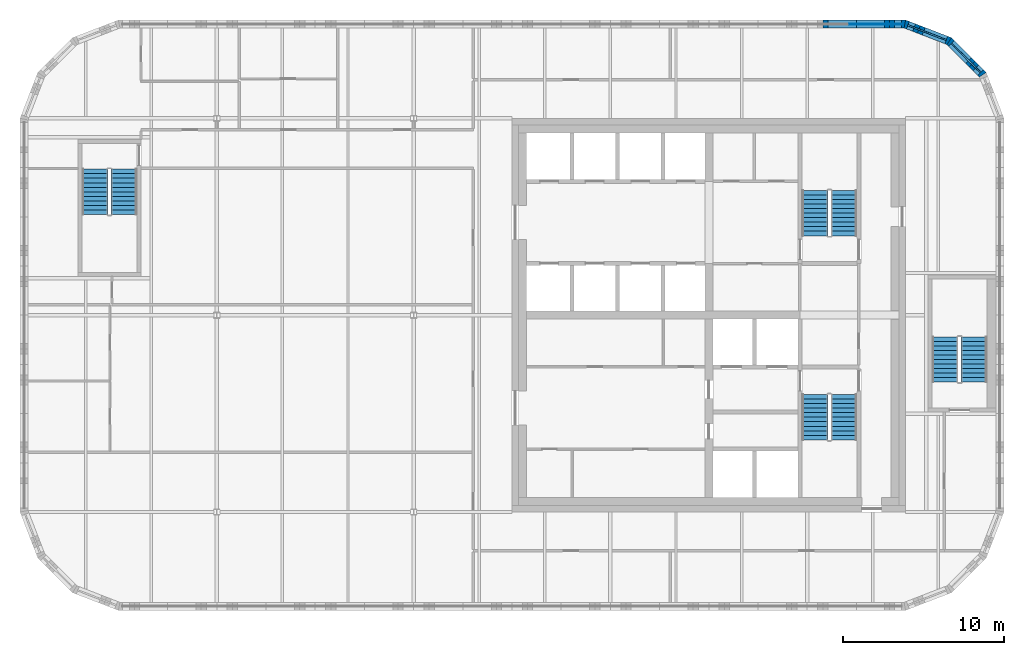
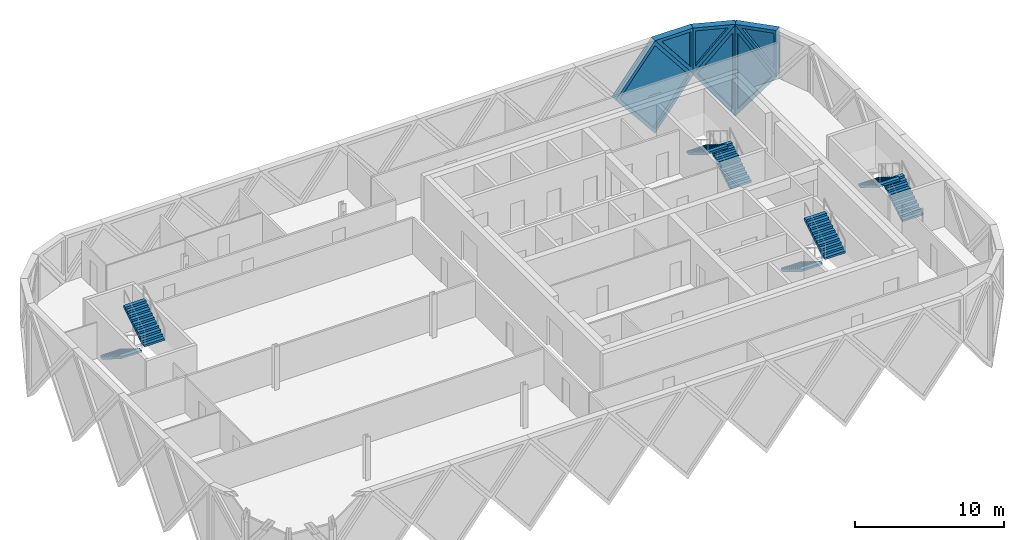
# One storey, part 11 of 12: 8 stair flights, 6 plates, 6 walls, 6 openings, 4 elements without a shape of their own.
"""IFC4 building model written with IfcOpenShell, lengths in metres."""

from ifc_helpers import new_model, si_unit, direction, frame, origin, place, context, subcontext, project, spatial, polyline, outline, extrude, faceted_brep, source, transform, mapped, material, layer, layer_set, type_object, element, fill, aggregate, save


model = new_model("IFC4")

# Units and contexts
model_context = context("Model", 3, precision=1e-05, world=origin(), true_north=direction((0.0, 1.0)))
body_context = subcontext(model_context, "Body", "Model", "MODEL_VIEW")
ifc_project = project(units=[si_unit("LENGTHUNIT", "METRE"), si_unit("AREAUNIT", "SQUARE_METRE"), si_unit("VOLUMEUNIT", "CUBIC_METRE"), si_unit("PLANEANGLEUNIT", "RADIAN"), si_unit("MASSUNIT", "GRAM", prefix="KILO")], contexts=[model_context])

# Site, building, storey
site_placement = place(None, origin())
site = spatial("IfcSite", under=ifc_project, at=site_placement, CompositionType="ELEMENT")
building_placement = place(site_placement, origin())
building = spatial("IfcBuilding", under=site, at=building_placement, Name="Tessera Gate Towers", CompositionType="ELEMENT")
storey_placement = place(building_placement, frame((0.0, 0.0, 255.89990234375)))
storey = spatial("IfcBuildingStorey", under=building, at=storey_placement, Name="L64", CompositionType="ELEMENT", Elevation=255.89990234375)

# Wall, opening, plate
ifc_material_1 = material(Name="Precast concrete C60/75 white", Category="concrete")
ifc_layer_1 = layer(ifc_material_1, 0.5)
ifc_layer_set_1 = layer_set([ifc_layer_1], Name="TS1 tessera")
wall_type_1 = type_object("IfcWallType", Name="TS1 tessera", PredefinedType="SOLIDWALL", material=ifc_layer_set_1)
shared_shape_1 = source(origin(), body_context, "Body", "Brep", [
    faceted_brep([(3.00341796875, -0.25, 0.0), (6.053466796875, -0.25, 3.7998046875), (3.00341796875, -0.25, 7.599853515625), (0.0, -0.25, 3.7998046875), (0.046630859375, 0.25, 3.858642578125), (3.00341796875, 0.25, 7.599853515625), (6.053466796875, 0.25, 3.7998046875), (3.00341796875, 0.25, 0.0), (0.046630859375, 0.25, 3.740966796875), (0.0, 0.0, 3.7998046875)], [[[0, 1, 2, 3]], [[4, 5, 6, 7, 8]], [[7, 6, 1, 0]], [[6, 5, 2, 1]], [[5, 4, 9, 3, 2]], [[8, 7, 0, 3, 9]], [[8, 9, 4]]]),
])
wall_1_placement = place(storey_placement, frame((54.853515625, 54.64990234375, -3.7998046875), z_axis=(0.0, 0.0, 1.0), x_axis=(-1.0, 0.0, 0.0)))
wall_1 = element("IfcWall", 1, at=wall_1_placement, inside=storey, type_object=wall_type_1, Name="Precast tessera T1 TS1-1134", PredefinedType="SOLIDWALL", context=body_context, shape_type="MappedRepresentation", body=[
    mapped(shared_shape_1, transform((0.0, 0.0, 0.0), scale=1.0)),
])
shared_shape_2 = source(origin(), body_context, "Body", "SweptSolid", [
    extrude(outline(polyline([(3.0048828125, 0.401123046875), (5.73291015625, 3.7998046875), (3.0048828125, 7.19873046875), (0.318603515625, 3.7998046875), (3.0048828125, 0.401123046875)])), frame((0.0, 0.260009765625, 0.0), z_axis=(0.0, -1.0, 0.0), x_axis=(1.0, 0.0, 0.0)), (0.0, 0.0, 1.0), 0.52001953125),
])
opening_1_placement = place(wall_1_placement, origin())
opening_1 = element("IfcOpeningElement", 2, at=opening_1_placement, cuts=wall_1, Name="Opening T1-PL2-2290", PredefinedType="OPENING", context=body_context, shape_type="MappedRepresentation", body=[
    mapped(shared_shape_2, transform((0.0, 0.0, 0.0), scale=1.0)),
])
ifc_material_2 = material(Name="Low-e laminated glass", Category="glass")
ifc_layer_2 = layer(ifc_material_2, 0.06005859375)
ifc_layer_set_2 = layer_set([ifc_layer_2], Name="PL2 rhombic pane")
plate_type_1 = type_object("IfcPlateType", Name="PL2 rhombic pane", PredefinedType="SHEET", material=ifc_layer_set_2)
shared_shape_3 = source(origin(), body_context, "Body", "SweptSolid", [
    extrude(outline(polyline([(3.0048828125, 0.401123046875), (5.73291015625, 3.7998046875), (3.0048828125, 7.19873046875), (0.318603515625, 3.7998046875), (3.0048828125, 0.401123046875)])), frame((0.0, 0.030029296875, 0.0), z_axis=(0.0, -1.0, 0.0), x_axis=(1.0, 0.0, 0.0)), (0.0, 0.0, 1.0), 0.06005859375),
])
plate_1_placement = place(opening_1_placement, origin())
plate_1 = element("IfcPlate", 3, at=plate_1_placement, inside=storey, type_object=plate_type_1, Name="Glass pane T1 PL2-2290", PredefinedType="SHEET", context=body_context, shape_type="MappedRepresentation", body=[
    mapped(shared_shape_3, transform((0.0, 0.0, 0.0), scale=1.0)),
])
fill(opening_1, plate_1)

ifc_material_3 = material(Name="Precast concrete C60/75 white", Category="concrete")
ifc_layer_3 = layer(ifc_material_3, 0.5)
ifc_layer_set_3 = layer_set([ifc_layer_3], Name="TS3 corner tessera")
wall_type_2 = type_object("IfcWallType", Name="TS3 corner tessera", PredefinedType="SOLIDWALL", material=ifc_layer_set_3)
shared_shape_4 = source(origin(), body_context, "Body", "Brep", [
    faceted_brep([(2.944091796875, -0.25, 0.0), (2.9970703125, -0.25, 0.068115234375), (2.9970703125, -0.25, 7.53173828125), (2.944091796875, -0.25, 7.599853515625), (0.0, -0.25, 3.7998046875), (0.052978515625, 0.25, 3.8681640625), (2.89111328125, 0.25, 7.53173828125), (2.89111328125, 0.25, 0.068115234375), (0.052978515625, 0.25, 3.7314453125), (2.944091796875, 0.000244140625, 0.0), (2.944091796875, 0.000244140625, 7.599853515625), (0.0, 0.0, 3.7998046875)], [[[0, 1, 2, 3, 4]], [[5, 6, 7, 8]], [[1, 0, 9]], [[10, 3, 2]], [[6, 5, 11, 4, 3, 10]], [[8, 7, 9, 0, 4, 11]], [[8, 11, 5]], [[1, 9, 7, 6, 10, 2]]]),
])
wall_2_placement = place(storey_placement, frame((59.68798828125, 51.50634765625, -3.7998046875), z_axis=(0.0, 0.0, 1.0), x_axis=(-0.707106781187, 0.707106781187, 0.0)))
wall_2 = element("IfcWall", 4, at=wall_2_placement, inside=storey, type_object=wall_type_2, Name="Precast corner tessera T1 TS3-1455", PredefinedType="SOLIDWALL", context=body_context, shape_type="MappedRepresentation", body=[
    mapped(shared_shape_4, transform((0.0, 0.0, 0.0), scale=1.0)),
])
shared_shape_5 = source(origin(), body_context, "Body", "SweptSolid", [
    extrude(outline(polyline([(2.744140625, 6.93359375), (0.316162109375, 3.7998046875), (2.744140625, 0.666259765625), (2.744140625, 6.93359375)])), frame((0.0, 0.260009765625, 0.0), z_axis=(0.0, -1.0, 0.0), x_axis=(1.0, 0.0, 0.0)), (0.0, 0.0, 1.0), 0.52001953125),
])
opening_2_placement = place(wall_2_placement, origin())
opening_2 = element("IfcOpeningElement", 5, at=opening_2_placement, cuts=wall_2, Name="Opening T1-PL2-2288", PredefinedType="OPENING", context=body_context, shape_type="MappedRepresentation", body=[
    mapped(shared_shape_5, transform((0.0, 0.0, 0.0), scale=1.0)),
])
shared_shape_6 = source(origin(), body_context, "Body", "SweptSolid", [
    extrude(outline(polyline([(2.744140625, 6.93359375), (0.316162109375, 3.7998046875), (2.744140625, 0.666259765625), (2.744140625, 6.93359375)])), frame((0.0, 0.030029296875, 0.0), z_axis=(0.0, -1.0, 0.0), x_axis=(1.0, 0.0, 0.0)), (0.0, 0.0, 1.0), 0.06005859375),
])
plate_2_placement = place(opening_2_placement, origin())
plate_2 = element("IfcPlate", 6, at=plate_2_placement, inside=storey, type_object=plate_type_1, Name="Glass pane T1 PL2-2288", PredefinedType="SHEET", context=body_context, shape_type="MappedRepresentation", body=[
    mapped(shared_shape_6, transform((0.0, 0.0, 0.0), scale=1.0)),
])
fill(opening_2, plate_2)

shared_shape_7 = source(origin(), body_context, "Body", "Brep", [
    faceted_brep([(0.052978515625, -0.25, 0.0), (3.00341796875, -0.25, 3.7998046875), (0.052978515625, -0.25, 7.599853515625), (0.0, -0.25, 7.531494140625), (0.0, -0.25, 0.068359375), (0.10595703125, 0.25, 7.53173828125), (2.95703125, 0.25, 3.859619140625), (2.95703125, 0.25, 3.739990234375), (0.10595703125, 0.25, 0.068115234375), (3.00341796875, 0.00048828125, 3.7998046875), (0.052978515625, 0.0, 0.0), (0.052978515625, 0.0, 7.599853515625)], [[[0, 1, 2, 3, 4]], [[5, 6, 7, 8]], [[8, 7, 9, 1, 0, 10]], [[6, 5, 11, 2, 1, 9]], [[3, 2, 11]], [[10, 0, 4]], [[8, 10, 4, 3, 11, 5]], [[9, 7, 6]]]),
])
wall_3_placement = place(storey_placement, frame((57.65576171875, 53.569091796875, -3.7998046875), z_axis=(0.0, 0.0, 1.0), x_axis=(-0.933007896601, 0.359855894603, 0.0)))
wall_3 = element("IfcWall", 7, at=wall_3_placement, inside=storey, type_object=wall_type_2, Name="Precast corner tessera T1 TS3-1456", PredefinedType="SOLIDWALL", context=body_context, shape_type="MappedRepresentation", body=[
    mapped(shared_shape_7, transform((0.0, 0.0, 0.0), scale=1.0)),
])
shared_shape_8 = source(origin(), body_context, "Body", "SweptSolid", [
    extrude(outline(polyline([(0.2529296875, 0.6650390625), (2.68701171875, 3.7998046875), (0.2529296875, 6.9345703125), (0.2529296875, 0.6650390625)])), frame((0.0, 0.260009765625, 0.0), z_axis=(0.0, -1.0, 0.0), x_axis=(1.0, 0.0, 0.0)), (0.0, 0.0, 1.0), 0.52001953125),
])
opening_3_placement = place(wall_3_placement, origin())
opening_3 = element("IfcOpeningElement", 8, at=opening_3_placement, cuts=wall_3, Name="Opening T1-PL2-2289", PredefinedType="OPENING", context=body_context, shape_type="MappedRepresentation", body=[
    mapped(shared_shape_8, transform((0.0, 0.0, 0.0), scale=1.0)),
])
shared_shape_9 = source(origin(), body_context, "Body", "SweptSolid", [
    extrude(outline(polyline([(0.2529296875, 0.6650390625), (2.68701171875, 3.7998046875), (0.2529296875, 6.9345703125), (0.2529296875, 0.6650390625)])), frame((0.0, 0.030029296875, 0.0), z_axis=(0.0, -1.0, 0.0), x_axis=(1.0, 0.0, 0.0)), (0.0, 0.0, 1.0), 0.06005859375),
])
plate_3_placement = place(opening_3_placement, origin())
plate_3 = element("IfcPlate", 9, at=plate_3_placement, inside=storey, type_object=plate_type_1, Name="Glass pane T1 PL2-2289", PredefinedType="SHEET", context=body_context, shape_type="MappedRepresentation", body=[
    mapped(shared_shape_9, transform((0.0, 0.0, 0.0), scale=1.0)),
])
fill(opening_3, plate_3)

shared_shape_10 = source(origin(), body_context, "Body", "Brep", [
    faceted_brep([(0.046630859375, -0.25, 0.0), (3.050048828125, -0.25, 3.800048828125), (0.0, -0.25, 3.800048828125), (0.0, -0.25, 0.06005859375), (0.09326171875, 0.25, 3.800048828125), (3.050048828125, 0.25, 3.800048828125), (0.09326171875, 0.25, 0.058837890625), (0.046630859375, 0.0, 0.0)], [[[0, 1, 2, 3]], [[4, 5, 6]], [[6, 5, 1, 0, 7]], [[5, 4, 2, 1]], [[7, 0, 3]], [[6, 7, 3, 2, 4]]]),
])
wall_4_placement = place(storey_placement, frame((54.900146484375, 54.64990234375, 0.0), z_axis=(0.0, 0.0, 1.0), x_axis=(-1.0, 0.0, 0.0)))
wall_4 = element("IfcWall", 10, at=wall_4_placement, inside=storey, type_object=wall_type_2, Name="Precast corner tessera T1 TS3-1474", PredefinedType="SOLIDWALL", context=body_context, shape_type="MappedRepresentation", body=[
    mapped(shared_shape_10, transform((0.0, 0.0, 0.0), scale=1.0)),
])
shared_shape_11 = source(origin(), body_context, "Body", "SweptSolid", [
    extrude(outline(polyline([(0.24658203125, 0.65625), (2.533935546875, 3.550048828125), (0.24658203125, 3.550048828125), (0.24658203125, 0.65625)])), frame((0.0, 0.260009765625, 0.0), z_axis=(0.0, -1.0, 0.0), x_axis=(1.0, 0.0, 0.0)), (0.0, 0.0, 1.0), 0.52001953125),
])
opening_4_placement = place(wall_4_placement, origin())
opening_4 = element("IfcOpeningElement", 11, at=opening_4_placement, cuts=wall_4, Name="Opening T1-PL1-0628", PredefinedType="OPENING", context=body_context, shape_type="MappedRepresentation", body=[
    mapped(shared_shape_11, transform((0.0, 0.0, 0.0), scale=1.0)),
])
ifc_material_4 = material(Name="Low-e laminated glass", Category="glass")
ifc_layer_4 = layer(ifc_material_4, 0.06005859375)
ifc_layer_set_4 = layer_set([ifc_layer_4], Name="PL1 triangular pane")
plate_type_2 = type_object("IfcPlateType", Name="PL1 triangular pane", PredefinedType="SHEET", material=ifc_layer_set_4)
shared_shape_12 = source(origin(), body_context, "Body", "SweptSolid", [
    extrude(outline(polyline([(0.24658203125, 0.65625), (2.533935546875, 3.550048828125), (0.24658203125, 3.550048828125), (0.24658203125, 0.65625)])), frame((0.0, 0.030029296875, 0.0), z_axis=(0.0, -1.0, 0.0), x_axis=(1.0, 0.0, 0.0)), (0.0, 0.0, 1.0), 0.06005859375),
])
plate_4_placement = place(opening_4_placement, origin())
plate_4 = element("IfcPlate", 12, at=plate_4_placement, inside=storey, type_object=plate_type_2, Name="Glass pane T1 PL1-0628", PredefinedType="SHEET", context=body_context, shape_type="MappedRepresentation", body=[
    mapped(shared_shape_12, transform((0.0, 0.0, 0.0), scale=1.0)),
])
fill(opening_4, plate_4)

shared_shape_13 = source(origin(), body_context, "Body", "Brep", [
    faceted_brep([(0.052978515625, -0.25, 0.0), (2.9970703125, -0.25, 3.800048828125), (0.0, -0.25, 3.800048828125), (0.0, -0.25, 0.068115234375), (0.10595703125, 0.25, 3.800048828125), (2.944091796875, 0.25, 3.800048828125), (2.944091796875, 0.25, 3.73193359375), (0.10595703125, 0.25, 0.068359375), (2.9970703125, 0.000244140625, 3.800048828125), (0.052978515625, 0.0, 0.0)], [[[0, 1, 2, 3]], [[4, 5, 6, 7]], [[7, 6, 8, 1, 0, 9]], [[5, 4, 2, 1, 8]], [[9, 0, 3]], [[7, 9, 3, 2, 4]], [[6, 5, 8]]]),
])
wall_5_placement = place(storey_placement, frame((59.7255859375, 51.46875, 0.0), z_axis=(0.0, 0.0, 1.0), x_axis=(-0.707106781187, 0.707106781187, 0.0)))
wall_5 = element("IfcWall", 13, at=wall_5_placement, inside=storey, type_object=wall_type_2, Name="Precast corner tessera T1 TS3-1472", PredefinedType="SOLIDWALL", context=body_context, shape_type="MappedRepresentation", body=[
    mapped(shared_shape_13, transform((0.0, 0.0, 0.0), scale=1.0)),
])
shared_shape_14 = source(origin(), body_context, "Body", "SweptSolid", [
    extrude(outline(polyline([(0.2529296875, 0.66650390625), (2.487060546875, 3.550048828125), (0.2529296875, 3.550048828125), (0.2529296875, 0.66650390625)])), frame((0.0, 0.260009765625, 0.0), z_axis=(0.0, -1.0, 0.0), x_axis=(1.0, 0.0, 0.0)), (0.0, 0.0, 1.0), 0.52001953125),
])
opening_5_placement = place(wall_5_placement, origin())
opening_5 = element("IfcOpeningElement", 14, at=opening_5_placement, cuts=wall_5, Name="Opening T1-PL1-0626", PredefinedType="OPENING", context=body_context, shape_type="MappedRepresentation", body=[
    mapped(shared_shape_14, transform((0.0, 0.0, 0.0), scale=1.0)),
])
shared_shape_15 = source(origin(), body_context, "Body", "SweptSolid", [
    extrude(outline(polyline([(0.2529296875, 0.66650390625), (2.487060546875, 3.550048828125), (0.2529296875, 3.550048828125), (0.2529296875, 0.66650390625)])), frame((0.0, 0.030029296875, 0.0), z_axis=(0.0, -1.0, 0.0), x_axis=(1.0, 0.0, 0.0)), (0.0, 0.0, 1.0), 0.06005859375),
])
plate_5_placement = place(opening_5_placement, origin())
plate_5 = element("IfcPlate", 15, at=plate_5_placement, inside=storey, type_object=plate_type_2, Name="Glass pane T1 PL1-0626", PredefinedType="SHEET", context=body_context, shape_type="MappedRepresentation", body=[
    mapped(shared_shape_15, transform((0.0, 0.0, 0.0), scale=1.0)),
])
fill(opening_5, plate_5)

shared_shape_16 = source(origin(), body_context, "Body", "Brep", [
    faceted_brep([(2.950439453125, -0.25, 0.0), (2.9970703125, -0.25, 0.05908203125), (2.9970703125, -0.25, 3.800048828125), (0.0, -0.25, 3.800048828125), (0.052978515625, 0.25, 3.800048828125), (2.904052734375, 0.25, 3.800048828125), (2.904052734375, 0.25, 0.059814453125), (0.052978515625, 0.25, 3.73193359375), (2.950439453125, 0.00048828125, 0.0), (0.0, 0.0, 3.800048828125)], [[[0, 1, 2, 3]], [[4, 5, 6, 7]], [[1, 0, 8]], [[5, 4, 9, 3, 2]], [[7, 6, 8, 0, 3, 9]], [[7, 9, 4]], [[1, 8, 6, 5, 2]]]),
])
wall_6_placement = place(storey_placement, frame((57.606201171875, 53.588134765625, 0.0), z_axis=(0.0, 0.0, 1.0), x_axis=(-0.932990326376, 0.359901446078, 0.0)))
wall_6 = element("IfcWall", 16, at=wall_6_placement, inside=storey, type_object=wall_type_2, Name="Precast corner tessera T1 TS3-1473", PredefinedType="SOLIDWALL", context=body_context, shape_type="MappedRepresentation", body=[
    mapped(shared_shape_16, transform((0.0, 0.0, 0.0), scale=1.0)),
])
shared_shape_17 = source(origin(), body_context, "Body", "SweptSolid", [
    extrude(outline(polyline([(2.75048828125, 3.550048828125), (0.5107421875, 3.550048828125), (2.75048828125, 0.665283203125), (2.75048828125, 3.550048828125)])), frame((0.0, 0.260009765625, 0.0), z_axis=(0.0, -1.0, 0.0), x_axis=(1.0, 0.0, 0.0)), (0.0, 0.0, 1.0), 0.52001953125),
])
opening_6_placement = place(wall_6_placement, origin())
opening_6 = element("IfcOpeningElement", 17, at=opening_6_placement, cuts=wall_6, Name="Opening T1-PL1-0627", PredefinedType="OPENING", context=body_context, shape_type="MappedRepresentation", body=[
    mapped(shared_shape_17, transform((0.0, 0.0, 0.0), scale=1.0)),
])
shared_shape_18 = source(origin(), body_context, "Body", "SweptSolid", [
    extrude(outline(polyline([(2.75048828125, 3.550048828125), (0.5107421875, 3.550048828125), (2.75048828125, 0.665283203125), (2.75048828125, 3.550048828125)])), frame((0.0, 0.030029296875, 0.0), z_axis=(0.0, -1.0, 0.0), x_axis=(1.0, 0.0, 0.0)), (0.0, 0.0, 1.0), 0.06005859375),
])
plate_6_placement = place(opening_6_placement, origin())
plate_6 = element("IfcPlate", 18, at=plate_6_placement, inside=storey, type_object=plate_type_2, Name="Glass pane T1 PL1-0627", PredefinedType="SHEET", context=body_context, shape_type="MappedRepresentation", body=[
    mapped(shared_shape_18, transform((0.0, 0.0, 0.0), scale=1.0)),
])
fill(opening_6, plate_6)

# Stair, stair flights
ifc_material_5 = material(Name="Concrete C40/50", Category="concrete")
stair_type_1 = type_object("IfcStairType", Name="EXIT STAIR ST1 1600", PredefinedType="HALF_TURN_STAIR", material=ifc_material_5)
stair_1_placement = place(storey_placement, origin())
stair_1 = element("IfcStair", 19, at=stair_1_placement, inside=storey, type_object=stair_type_1, Name="L64 Protected Exit Stair ST1", PredefinedType="HALF_TURN_STAIR")
ifc_material_6 = material(Name="Concrete C40/50", Category="concrete")
stair_flight_type_1 = type_object("IfcStairFlightType", Name="EXIT STAIR FLIGHT ST1 1600", PredefinedType="STRAIGHT", material=ifc_material_6)
stair_flight_1_placement = place(storey_placement, frame((49.27490234375, 31.675048828125, 0.0), z_axis=(0.0, 0.0, 1.0), x_axis=(0.0, -1.0, 0.0)))
stair_flight_1 = element("IfcStairFlight", 20, at=stair_flight_1_placement, type_object=stair_flight_type_1, Name="ST1 flight 1", NumberOfRisers=11, NumberOfTreads=10, PredefinedType="STRAIGHT", RiserHeight=0.172727273, TreadLength=0.28, context=body_context, shape_type="SweptSolid", body=[
    extrude(outline(polyline([(0.0, 0.0), (0.0, 0.172607421875), (0.280029296875, 0.172607421875), (0.280029296875, 0.345458984375), (0.56005859375, 0.345458984375), (0.56005859375, 0.51806640625), (0.840087890625, 0.51806640625), (0.840087890625, 0.69091796875), (1.1201171875, 0.69091796875), (1.1201171875, 0.863525390625), (1.39990234375, 0.863525390625), (1.39990234375, 1.036376953125), (1.679931640625, 1.036376953125), (1.679931640625, 1.208984375), (1.9599609375, 1.208984375), (1.9599609375, 1.3818359375), (2.239990234375, 1.3818359375), (2.239990234375, 1.554443359375), (2.52001953125, 1.554443359375), (2.52001953125, 1.727294921875), (2.800048828125, 1.727294921875), (2.800048828125, 1.89990234375), (2.800048828125, 1.551025390625), (0.285400390625, 0.0), (0.0, 0.0)])), frame((0.0, 0.800048828125, 0.0), z_axis=(0.0, -1.0, 0.0), x_axis=(1.0, 0.0, 0.0)), (0.0, 0.0, 1.0), 1.60009765625),
])
stair_flight_2_placement = place(storey_placement, frame((51.074951171875, 28.875, 1.900146484375), z_axis=(0.0, 0.0, 1.0), x_axis=(0.0, 1.0, 0.0)))
stair_flight_2 = element("IfcStairFlight", 21, at=stair_flight_2_placement, type_object=stair_flight_type_1, Name="ST1 flight 2", NumberOfRisers=11, NumberOfTreads=10, PredefinedType="STRAIGHT", RiserHeight=0.172727273, TreadLength=0.28, context=body_context, shape_type="SweptSolid", body=[
    extrude(outline(polyline([(0.0, 0.0), (0.0, 0.172607421875), (0.280029296875, 0.172607421875), (0.280029296875, 0.345458984375), (0.56005859375, 0.345458984375), (0.56005859375, 0.51806640625), (0.840087890625, 0.51806640625), (0.840087890625, 0.69091796875), (1.1201171875, 0.69091796875), (1.1201171875, 0.863525390625), (1.39990234375, 0.863525390625), (1.39990234375, 1.036376953125), (1.679931640625, 1.036376953125), (1.679931640625, 1.208984375), (1.9599609375, 1.208984375), (1.9599609375, 1.3818359375), (2.239990234375, 1.3818359375), (2.239990234375, 1.554443359375), (2.52001953125, 1.554443359375), (2.52001953125, 1.727294921875), (2.800048828125, 1.727294921875), (2.800048828125, 1.89990234375), (2.800048828125, 1.551025390625), (0.285400390625, 0.0), (0.0, 0.0)])), frame((0.0, 0.800048828125, 0.0), z_axis=(0.0, -1.0, 0.0), x_axis=(1.0, 0.0, 0.0)), (0.0, 0.0, 1.0), 1.60009765625),
])
aggregate(stair_1, [stair_flight_1, stair_flight_2])

ifc_material_7 = material(Name="Concrete C40/50", Category="concrete")
stair_type_2 = type_object("IfcStairType", Name="EXIT STAIR ST2 1600", PredefinedType="HALF_TURN_STAIR", material=ifc_material_7)
stair_2_placement = place(storey_placement, origin())
stair_2 = element("IfcStair", 22, at=stair_2_placement, inside=storey, type_object=stair_type_2, Name="L64 Protected Exit Stair ST2", PredefinedType="HALF_TURN_STAIR")
ifc_material_8 = material(Name="Concrete C40/50", Category="concrete")
stair_flight_type_2 = type_object("IfcStairFlightType", Name="EXIT STAIR FLIGHT ST2 1600", PredefinedType="STRAIGHT", material=ifc_material_8)
stair_flight_3_placement = place(storey_placement, frame((51.074951171875, 41.52490234375, 0.0), z_axis=(0.0, 0.0, 1.0), x_axis=(0.0, 1.0, 0.0)))
stair_flight_3 = element("IfcStairFlight", 23, at=stair_flight_3_placement, type_object=stair_flight_type_2, Name="ST2 flight 1", NumberOfRisers=11, NumberOfTreads=10, PredefinedType="STRAIGHT", RiserHeight=0.172727273, TreadLength=0.28, context=body_context, shape_type="SweptSolid", body=[
    extrude(outline(polyline([(0.0, 0.0), (0.0, 0.172607421875), (0.280029296875, 0.172607421875), (0.280029296875, 0.345458984375), (0.56005859375, 0.345458984375), (0.56005859375, 0.51806640625), (0.840087890625, 0.51806640625), (0.840087890625, 0.69091796875), (1.1201171875, 0.69091796875), (1.1201171875, 0.863525390625), (1.39990234375, 0.863525390625), (1.39990234375, 1.036376953125), (1.679931640625, 1.036376953125), (1.679931640625, 1.208984375), (1.9599609375, 1.208984375), (1.9599609375, 1.3818359375), (2.239990234375, 1.3818359375), (2.239990234375, 1.554443359375), (2.52001953125, 1.554443359375), (2.52001953125, 1.727294921875), (2.800048828125, 1.727294921875), (2.800048828125, 1.89990234375), (2.800048828125, 1.551025390625), (0.285400390625, 0.0), (0.0, 0.0)])), frame((0.0, 0.800048828125, 0.0), z_axis=(0.0, -1.0, 0.0), x_axis=(1.0, 0.0, 0.0)), (0.0, 0.0, 1.0), 1.60009765625),
])
stair_flight_4_placement = place(storey_placement, frame((49.27490234375, 44.324951171875, 1.900146484375), z_axis=(0.0, 0.0, 1.0), x_axis=(0.0, -1.0, 0.0)))
stair_flight_4 = element("IfcStairFlight", 24, at=stair_flight_4_placement, type_object=stair_flight_type_2, Name="ST2 flight 2", NumberOfRisers=11, NumberOfTreads=10, PredefinedType="STRAIGHT", RiserHeight=0.172727273, TreadLength=0.28, context=body_context, shape_type="SweptSolid", body=[
    extrude(outline(polyline([(0.0, 0.0), (0.0, 0.172607421875), (0.280029296875, 0.172607421875), (0.280029296875, 0.345458984375), (0.56005859375, 0.345458984375), (0.56005859375, 0.51806640625), (0.840087890625, 0.51806640625), (0.840087890625, 0.69091796875), (1.1201171875, 0.69091796875), (1.1201171875, 0.863525390625), (1.39990234375, 0.863525390625), (1.39990234375, 1.036376953125), (1.679931640625, 1.036376953125), (1.679931640625, 1.208984375), (1.9599609375, 1.208984375), (1.9599609375, 1.3818359375), (2.239990234375, 1.3818359375), (2.239990234375, 1.554443359375), (2.52001953125, 1.554443359375), (2.52001953125, 1.727294921875), (2.800048828125, 1.727294921875), (2.800048828125, 1.89990234375), (2.800048828125, 1.551025390625), (0.285400390625, 0.0), (0.0, 0.0)])), frame((0.0, 0.800048828125, 0.0), z_axis=(0.0, -1.0, 0.0), x_axis=(1.0, 0.0, 0.0)), (0.0, 0.0, 1.0), 1.60009765625),
])
aggregate(stair_2, [stair_flight_3, stair_flight_4])

ifc_material_9 = material(Name="Concrete C40/50", Category="concrete")
stair_type_3 = type_object("IfcStairType", Name="EXIT STAIR ST3 1600", PredefinedType="HALF_TURN_STAIR", material=ifc_material_9)
stair_3_placement = place(storey_placement, origin())
stair_3 = element("IfcStair", 25, at=stair_3_placement, inside=storey, type_object=stair_type_3, Name="L64 West Exit Stair ST3", PredefinedType="HALF_TURN_STAIR")
ifc_material_10 = material(Name="Concrete C40/50", Category="concrete")
stair_flight_type_3 = type_object("IfcStairFlightType", Name="EXIT STAIR FLIGHT ST3 1600", PredefinedType="STRAIGHT", material=ifc_material_10)
stair_flight_5_placement = place(storey_placement, frame((4.64990234375, 45.64990234375, 0.0), z_axis=(0.0, 0.0, 1.0), x_axis=(0.0, -1.0, 0.0)))
stair_flight_5 = element("IfcStairFlight", 26, at=stair_flight_5_placement, type_object=stair_flight_type_3, Name="ST3 flight 1", NumberOfRisers=11, NumberOfTreads=10, PredefinedType="STRAIGHT", RiserHeight=0.172727273, TreadLength=0.28, context=body_context, shape_type="SweptSolid", body=[
    extrude(outline(polyline([(0.0, 0.0), (0.0, 0.172607421875), (0.280029296875, 0.172607421875), (0.280029296875, 0.345458984375), (0.56005859375, 0.345458984375), (0.56005859375, 0.51806640625), (0.840087890625, 0.51806640625), (0.840087890625, 0.69091796875), (1.1201171875, 0.69091796875), (1.1201171875, 0.863525390625), (1.39990234375, 0.863525390625), (1.39990234375, 1.036376953125), (1.679931640625, 1.036376953125), (1.679931640625, 1.208984375), (1.9599609375, 1.208984375), (1.9599609375, 1.3818359375), (2.239990234375, 1.3818359375), (2.239990234375, 1.554443359375), (2.52001953125, 1.554443359375), (2.52001953125, 1.727294921875), (2.800048828125, 1.727294921875), (2.800048828125, 1.89990234375), (2.800048828125, 1.551025390625), (0.285400390625, 0.0), (0.0, 0.0)])), frame((0.0, 0.800048828125, 0.0), z_axis=(0.0, -1.0, 0.0), x_axis=(1.0, 0.0, 0.0)), (0.0, 0.0, 1.0), 1.60009765625),
])
stair_flight_6_placement = place(storey_placement, frame((6.449951171875, 42.85009765625, 1.900146484375), z_axis=(0.0, 0.0, 1.0), x_axis=(0.0, 1.0, 0.0)))
stair_flight_6 = element("IfcStairFlight", 27, at=stair_flight_6_placement, type_object=stair_flight_type_3, Name="ST3 flight 2", NumberOfRisers=11, NumberOfTreads=10, PredefinedType="STRAIGHT", RiserHeight=0.172727273, TreadLength=0.28, context=body_context, shape_type="SweptSolid", body=[
    extrude(outline(polyline([(0.0, 0.0), (0.0, 0.172607421875), (0.280029296875, 0.172607421875), (0.280029296875, 0.345458984375), (0.56005859375, 0.345458984375), (0.56005859375, 0.51806640625), (0.840087890625, 0.51806640625), (0.840087890625, 0.69091796875), (1.1201171875, 0.69091796875), (1.1201171875, 0.863525390625), (1.39990234375, 0.863525390625), (1.39990234375, 1.036376953125), (1.679931640625, 1.036376953125), (1.679931640625, 1.208984375), (1.9599609375, 1.208984375), (1.9599609375, 1.3818359375), (2.239990234375, 1.3818359375), (2.239990234375, 1.554443359375), (2.52001953125, 1.554443359375), (2.52001953125, 1.727294921875), (2.800048828125, 1.727294921875), (2.800048828125, 1.89990234375), (2.800048828125, 1.551025390625), (0.285400390625, 0.0), (0.0, 0.0)])), frame((0.0, 0.800048828125, 0.0), z_axis=(0.0, -1.0, 0.0), x_axis=(1.0, 0.0, 0.0)), (0.0, 0.0, 1.0), 1.60009765625),
])
aggregate(stair_3, [stair_flight_5, stair_flight_6])

ifc_material_11 = material(Name="Concrete C40/50", Category="concrete")
stair_type_4 = type_object("IfcStairType", Name="EXIT STAIR ST5 1600", PredefinedType="HALF_TURN_STAIR", material=ifc_material_11)
stair_4_placement = place(storey_placement, origin())
stair_4 = element("IfcStair", 28, at=stair_4_placement, inside=storey, type_object=stair_type_4, Name="L64 East Exit Stair ST5", PredefinedType="HALF_TURN_STAIR")
ifc_material_12 = material(Name="Concrete C40/50", Category="concrete")
stair_flight_type_4 = type_object("IfcStairFlightType", Name="EXIT STAIR FLIGHT ST5 1600", PredefinedType="STRAIGHT", material=ifc_material_12)
stair_flight_7_placement = place(storey_placement, frame((59.14990234375, 32.449951171875, 0.0), z_axis=(0.0, 0.0, 1.0), x_axis=(0.0, 1.0, 0.0)))
stair_flight_7 = element("IfcStairFlight", 29, at=stair_flight_7_placement, type_object=stair_flight_type_4, Name="ST5 flight 1", NumberOfRisers=11, NumberOfTreads=10, PredefinedType="STRAIGHT", RiserHeight=0.172727273, TreadLength=0.28, context=body_context, shape_type="SweptSolid", body=[
    extrude(outline(polyline([(0.0, 0.0), (0.0, 0.172607421875), (0.280029296875, 0.172607421875), (0.280029296875, 0.345458984375), (0.56005859375, 0.345458984375), (0.56005859375, 0.51806640625), (0.840087890625, 0.51806640625), (0.840087890625, 0.69091796875), (1.1201171875, 0.69091796875), (1.1201171875, 0.863525390625), (1.39990234375, 0.863525390625), (1.39990234375, 1.036376953125), (1.679931640625, 1.036376953125), (1.679931640625, 1.208984375), (1.9599609375, 1.208984375), (1.9599609375, 1.3818359375), (2.239990234375, 1.3818359375), (2.239990234375, 1.554443359375), (2.52001953125, 1.554443359375), (2.52001953125, 1.727294921875), (2.800048828125, 1.727294921875), (2.800048828125, 1.89990234375), (2.800048828125, 1.551025390625), (0.285400390625, 0.0), (0.0, 0.0)])), frame((0.0, 0.800048828125, 0.0), z_axis=(0.0, -1.0, 0.0), x_axis=(1.0, 0.0, 0.0)), (0.0, 0.0, 1.0), 1.60009765625),
])
stair_flight_8_placement = place(storey_placement, frame((57.35009765625, 35.25, 1.900146484375), z_axis=(0.0, 0.0, 1.0), x_axis=(0.0, -1.0, 0.0)))
stair_flight_8 = element("IfcStairFlight", 30, at=stair_flight_8_placement, type_object=stair_flight_type_4, Name="ST5 flight 2", NumberOfRisers=11, NumberOfTreads=10, PredefinedType="STRAIGHT", RiserHeight=0.172727273, TreadLength=0.28, context=body_context, shape_type="SweptSolid", body=[
    extrude(outline(polyline([(0.0, 0.0), (0.0, 0.172607421875), (0.280029296875, 0.172607421875), (0.280029296875, 0.345458984375), (0.56005859375, 0.345458984375), (0.56005859375, 0.51806640625), (0.840087890625, 0.51806640625), (0.840087890625, 0.69091796875), (1.1201171875, 0.69091796875), (1.1201171875, 0.863525390625), (1.39990234375, 0.863525390625), (1.39990234375, 1.036376953125), (1.679931640625, 1.036376953125), (1.679931640625, 1.208984375), (1.9599609375, 1.208984375), (1.9599609375, 1.3818359375), (2.239990234375, 1.3818359375), (2.239990234375, 1.554443359375), (2.52001953125, 1.554443359375), (2.52001953125, 1.727294921875), (2.800048828125, 1.727294921875), (2.800048828125, 1.89990234375), (2.800048828125, 1.551025390625), (0.285400390625, 0.0), (0.0, 0.0)])), frame((0.0, 0.800048828125, 0.0), z_axis=(0.0, -1.0, 0.0), x_axis=(1.0, 0.0, 0.0)), (0.0, 0.0, 1.0), 1.60009765625),
])
aggregate(stair_4, [stair_flight_7, stair_flight_8])

save(model, "model.ifc")
